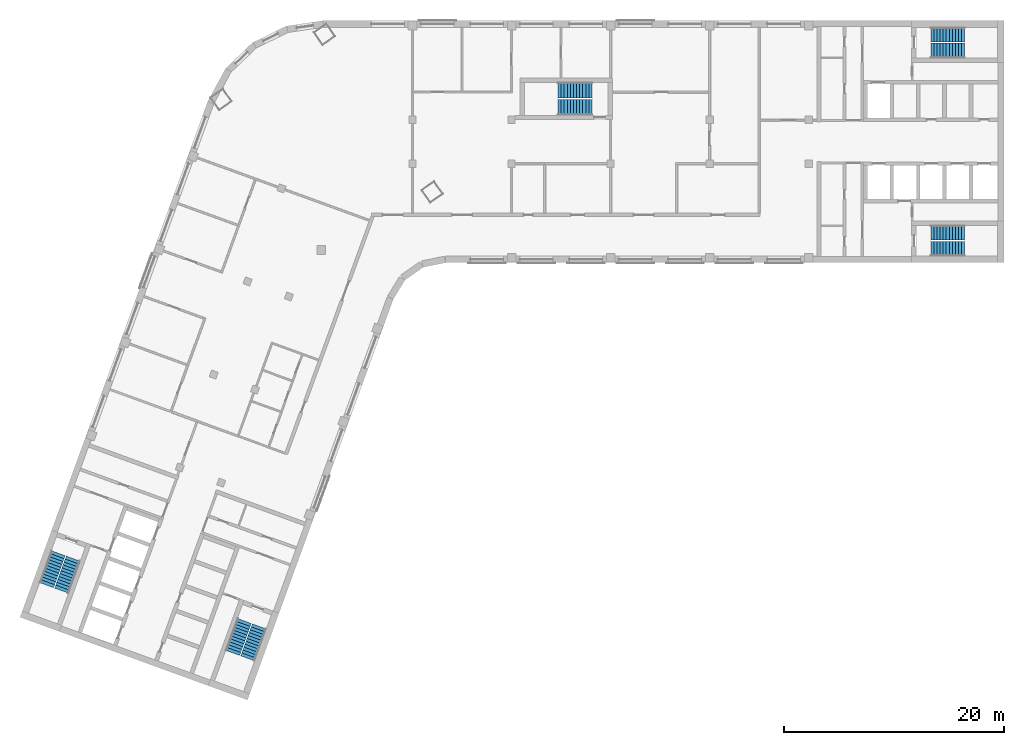
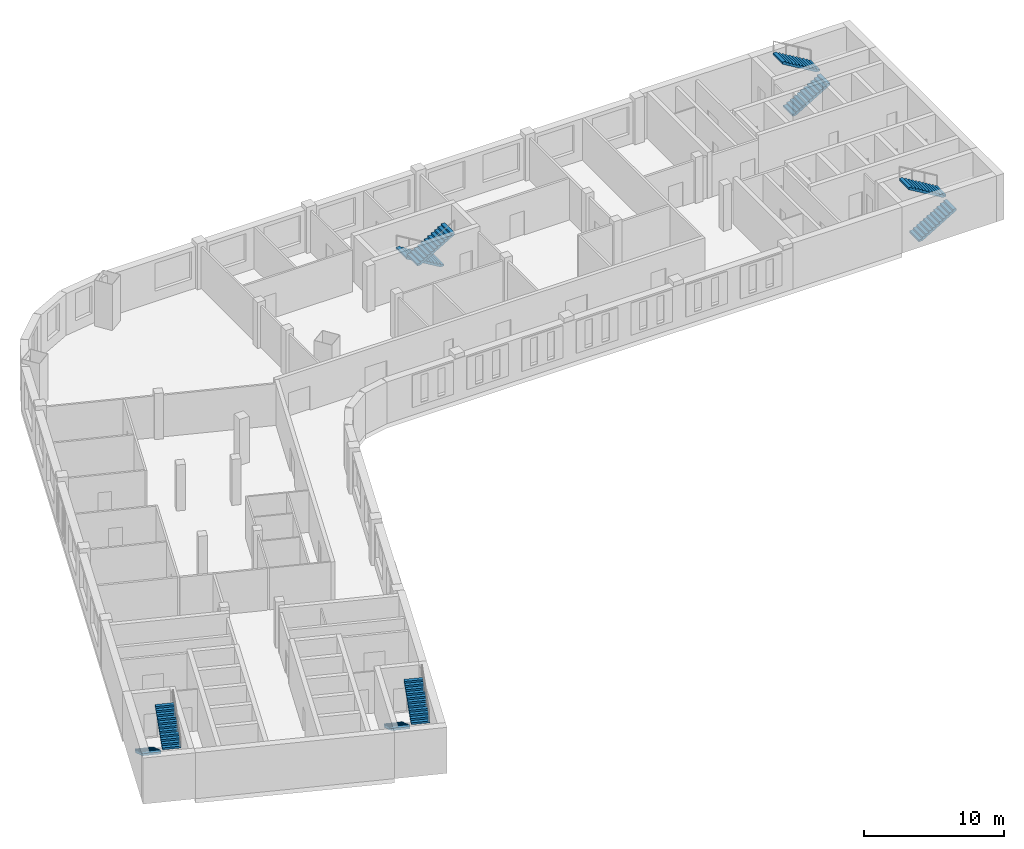
# One storey, part 7 of 8: 10 stair flights, 5 elements without a shape of their own.
"""IFC4 building model written with IfcOpenShell, lengths in metres."""

from ifc_helpers import new_model, si_unit, direction, frame, origin, place, context, subcontext, project, spatial, polyline, outline, extrude, material, type_object, element, aggregate, save


model = new_model("IFC4")

# Units and contexts
model_context = context("Model", 3, precision=1e-05, world=origin(), true_north=direction((0.0, 1.0)))
body_context = subcontext(model_context, "Body", "Model", "MODEL_VIEW")
ifc_project = project(units=[si_unit("LENGTHUNIT", "METRE"), si_unit("AREAUNIT", "SQUARE_METRE"), si_unit("VOLUMEUNIT", "CUBIC_METRE"), si_unit("PLANEANGLEUNIT", "RADIAN"), si_unit("MASSUNIT", "GRAM", prefix="KILO")], contexts=[model_context])

# Site, building, storey
site_placement = place(None, origin())
site = spatial("IfcSite", under=ifc_project, at=site_placement, CompositionType="ELEMENT")
building_placement = place(site_placement, origin())
building = spatial("IfcBuilding", under=site, at=building_placement, Name="Skarvind Civic Tower", CompositionType="ELEMENT")
storey_placement = place(building_placement, frame((0.0, 0.0, 138.5)))
storey = spatial("IfcBuildingStorey", under=building, at=storey_placement, Name="L32", CompositionType="ELEMENT", Elevation=138.5)

# Stair, stair flights
ifc_material = material(Name="Concrete C40/50", Category="concrete")
stair_type_1 = type_object("IfcStairType", Name="Exit stair 1450, half-turn, concrete", PredefinedType="HALF_TURN_STAIR", material=ifc_material)
stair_1_placement = place(storey_placement, origin())
stair_1 = element("IfcStair", 1, at=stair_1_placement, inside=storey, type_object=stair_type_1, Name="Exit stair CM", PredefinedType="HALF_TURN_STAIR")
stair_flight_type_1 = type_object("IfcStairFlightType", Name="Stair flight 1450, concrete", PredefinedType="STRAIGHT", material=ifc_material)
stair_flight_1_placement = place(storey_placement, frame((70.550048828125, 132.675048828125, 0.0), z_axis=(0.0, 0.0, 1.0), x_axis=(-1.0, 0.0, 0.0)))
stair_flight_1 = element("IfcStairFlight", 2, at=stair_flight_1_placement, type_object=stair_flight_type_1, Name="ST-CM flight 1", NumberOfRisers=12, NumberOfTreads=11, PredefinedType="STRAIGHT", RiserHeight=0.166666667, TreadLength=0.28, context=body_context, shape_type="SweptSolid", body=[
    extrude(outline(polyline([(0.0, 0.0), (0.0, 0.166748046875), (0.280029296875, 0.166748046875), (0.280029296875, 0.333251953125), (0.56005859375, 0.333251953125), (0.56005859375, 0.5), (0.840087890625, 0.5), (0.840087890625, 0.666748046875), (1.1201171875, 0.666748046875), (1.1201171875, 0.833251953125), (1.39990234375, 0.833251953125), (1.39990234375, 1.0), (1.679931640625, 1.0), (1.679931640625, 1.166748046875), (1.9599609375, 1.166748046875), (1.9599609375, 1.333251953125), (2.239990234375, 1.333251953125), (2.239990234375, 1.5), (2.52001953125, 1.5), (2.52001953125, 1.666748046875), (2.800048828125, 1.666748046875), (2.800048828125, 1.833251953125), (3.080078125, 1.833251953125), (3.080078125, 2.0), (3.080078125, 1.658935546875), (0.29296875, 0.0), (0.0, 0.0)])), frame((0.0, 0.72509765625, 0.0), z_axis=(0.0, -1.0, 0.0), x_axis=(1.0, 0.0, 0.0)), (0.0, 0.0, 1.0), 1.449951171875),
])
stair_flight_2_placement = place(storey_placement, frame((67.469970703125, 131.125, 2.0), z_axis=(0.0, 0.0, 1.0), x_axis=(1.0, 0.0, 0.0)))
stair_flight_2 = element("IfcStairFlight", 3, at=stair_flight_2_placement, type_object=stair_flight_type_1, Name="ST-CM flight 2", NumberOfRisers=12, NumberOfTreads=11, PredefinedType="STRAIGHT", RiserHeight=0.166666667, TreadLength=0.28, context=body_context, shape_type="SweptSolid", body=[
    extrude(outline(polyline([(0.0, 0.0), (0.0, 0.166748046875), (0.280029296875, 0.166748046875), (0.280029296875, 0.333251953125), (0.56005859375, 0.333251953125), (0.56005859375, 0.5), (0.840087890625, 0.5), (0.840087890625, 0.666748046875), (1.1201171875, 0.666748046875), (1.1201171875, 0.833251953125), (1.39990234375, 0.833251953125), (1.39990234375, 1.0), (1.679931640625, 1.0), (1.679931640625, 1.166748046875), (1.9599609375, 1.166748046875), (1.9599609375, 1.333251953125), (2.239990234375, 1.333251953125), (2.239990234375, 1.5), (2.52001953125, 1.5), (2.52001953125, 1.666748046875), (2.800048828125, 1.666748046875), (2.800048828125, 1.833251953125), (3.080078125, 1.833251953125), (3.080078125, 2.0), (3.080078125, 1.658935546875), (0.29296875, 0.0), (0.0, 0.0)])), frame((0.0, 0.72509765625, 0.0), z_axis=(0.0, -1.0, 0.0), x_axis=(1.0, 0.0, 0.0)), (0.0, 0.0, 1.0), 1.449951171875),
])
aggregate(stair_1, [stair_flight_1, stair_flight_2])

stair_type_2 = type_object("IfcStairType", Name="Exit stair, half-turn, concrete", PredefinedType="HALF_TURN_STAIR", material=ifc_material)
stair_2_placement = place(storey_placement, origin())
stair_2 = element("IfcStair", 4, at=stair_2_placement, inside=storey, type_object=stair_type_2, Name="Exit stair C1S", PredefinedType="HALF_TURN_STAIR")
stair_flight_type_2 = type_object("IfcStairFlightType", Name="Stair flight, concrete", PredefinedType="STRAIGHT", material=ifc_material)
stair_flight_3_placement = place(storey_placement, frame((101.35009765625, 136.27490234375, 0.0), z_axis=(0.0, 0.0, 1.0), x_axis=(1.0, 0.0, 0.0)))
stair_flight_3 = element("IfcStairFlight", 5, at=stair_flight_3_placement, type_object=stair_flight_type_2, Name="ST-C1S flight 1", NumberOfRisers=12, NumberOfTreads=11, PredefinedType="STRAIGHT", RiserHeight=0.166666667, TreadLength=0.28, context=body_context, shape_type="SweptSolid", body=[
    extrude(outline(polyline([(0.0, 0.0), (0.0, 0.166748046875), (0.280029296875, 0.166748046875), (0.280029296875, 0.333251953125), (0.56005859375, 0.333251953125), (0.56005859375, 0.5), (0.840087890625, 0.5), (0.840087890625, 0.666748046875), (1.1201171875, 0.666748046875), (1.1201171875, 0.833251953125), (1.39990234375, 0.833251953125), (1.39990234375, 1.0), (1.679931640625, 1.0), (1.679931640625, 1.166748046875), (1.9599609375, 1.166748046875), (1.9599609375, 1.333251953125), (2.239990234375, 1.333251953125), (2.239990234375, 1.5), (2.52001953125, 1.5), (2.52001953125, 1.666748046875), (2.800048828125, 1.666748046875), (2.800048828125, 1.833251953125), (3.080078125, 1.833251953125), (3.080078125, 2.0), (3.080078125, 1.658935546875), (0.29296875, 0.0), (0.0, 0.0)])), frame((0.0, 0.675048828125, 0.0), z_axis=(0.0, -1.0, 0.0), x_axis=(1.0, 0.0, 0.0)), (0.0, 0.0, 1.0), 1.35009765625),
])
stair_flight_4_placement = place(storey_placement, frame((104.429931640625, 137.72509765625, 2.0), z_axis=(0.0, 0.0, 1.0), x_axis=(-1.0, 0.0, 0.0)))
stair_flight_4 = element("IfcStairFlight", 6, at=stair_flight_4_placement, type_object=stair_flight_type_2, Name="ST-C1S flight 2", NumberOfRisers=12, NumberOfTreads=11, PredefinedType="STRAIGHT", RiserHeight=0.166666667, TreadLength=0.28, context=body_context, shape_type="SweptSolid", body=[
    extrude(outline(polyline([(0.0, 0.0), (0.0, 0.166748046875), (0.280029296875, 0.166748046875), (0.280029296875, 0.333251953125), (0.56005859375, 0.333251953125), (0.56005859375, 0.5), (0.840087890625, 0.5), (0.840087890625, 0.666748046875), (1.1201171875, 0.666748046875), (1.1201171875, 0.833251953125), (1.39990234375, 0.833251953125), (1.39990234375, 1.0), (1.679931640625, 1.0), (1.679931640625, 1.166748046875), (1.9599609375, 1.166748046875), (1.9599609375, 1.333251953125), (2.239990234375, 1.333251953125), (2.239990234375, 1.5), (2.52001953125, 1.5), (2.52001953125, 1.666748046875), (2.800048828125, 1.666748046875), (2.800048828125, 1.833251953125), (3.080078125, 1.833251953125), (3.080078125, 2.0), (3.080078125, 1.658935546875), (0.29296875, 0.0), (0.0, 0.0)])), frame((0.0, 0.675048828125, 0.0), z_axis=(0.0, -1.0, 0.0), x_axis=(1.0, 0.0, 0.0)), (0.0, 0.0, 1.0), 1.35009765625),
])
aggregate(stair_2, [stair_flight_3, stair_flight_4])

stair_3_placement = place(storey_placement, origin())
stair_3 = element("IfcStair", 7, at=stair_3_placement, inside=storey, type_object=stair_type_2, Name="Exit stair C1N", PredefinedType="HALF_TURN_STAIR")
stair_flight_5_placement = place(storey_placement, frame((101.35009765625, 118.27490234375, 0.0), z_axis=(0.0, 0.0, 1.0), x_axis=(1.0, 0.0, 0.0)))
stair_flight_5 = element("IfcStairFlight", 8, at=stair_flight_5_placement, type_object=stair_flight_type_2, Name="ST-C1N flight 1", NumberOfRisers=12, NumberOfTreads=11, PredefinedType="STRAIGHT", RiserHeight=0.166666667, TreadLength=0.28, context=body_context, shape_type="SweptSolid", body=[
    extrude(outline(polyline([(0.0, 0.0), (0.0, 0.166748046875), (0.280029296875, 0.166748046875), (0.280029296875, 0.333251953125), (0.56005859375, 0.333251953125), (0.56005859375, 0.5), (0.840087890625, 0.5), (0.840087890625, 0.666748046875), (1.1201171875, 0.666748046875), (1.1201171875, 0.833251953125), (1.39990234375, 0.833251953125), (1.39990234375, 1.0), (1.679931640625, 1.0), (1.679931640625, 1.166748046875), (1.9599609375, 1.166748046875), (1.9599609375, 1.333251953125), (2.239990234375, 1.333251953125), (2.239990234375, 1.5), (2.52001953125, 1.5), (2.52001953125, 1.666748046875), (2.800048828125, 1.666748046875), (2.800048828125, 1.833251953125), (3.080078125, 1.833251953125), (3.080078125, 2.0), (3.080078125, 1.658935546875), (0.29296875, 0.0), (0.0, 0.0)])), frame((0.0, 0.675048828125, 0.0), z_axis=(0.0, -1.0, 0.0), x_axis=(1.0, 0.0, 0.0)), (0.0, 0.0, 1.0), 1.35009765625),
])
stair_flight_6_placement = place(storey_placement, frame((104.429931640625, 119.72509765625, 2.0), z_axis=(0.0, 0.0, 1.0), x_axis=(-1.0, 0.0, 0.0)))
stair_flight_6 = element("IfcStairFlight", 9, at=stair_flight_6_placement, type_object=stair_flight_type_2, Name="ST-C1N flight 2", NumberOfRisers=12, NumberOfTreads=11, PredefinedType="STRAIGHT", RiserHeight=0.166666667, TreadLength=0.28, context=body_context, shape_type="SweptSolid", body=[
    extrude(outline(polyline([(0.0, 0.0), (0.0, 0.166748046875), (0.280029296875, 0.166748046875), (0.280029296875, 0.333251953125), (0.56005859375, 0.333251953125), (0.56005859375, 0.5), (0.840087890625, 0.5), (0.840087890625, 0.666748046875), (1.1201171875, 0.666748046875), (1.1201171875, 0.833251953125), (1.39990234375, 0.833251953125), (1.39990234375, 1.0), (1.679931640625, 1.0), (1.679931640625, 1.166748046875), (1.9599609375, 1.166748046875), (1.9599609375, 1.333251953125), (2.239990234375, 1.333251953125), (2.239990234375, 1.5), (2.52001953125, 1.5), (2.52001953125, 1.666748046875), (2.800048828125, 1.666748046875), (2.800048828125, 1.833251953125), (3.080078125, 1.833251953125), (3.080078125, 2.0), (3.080078125, 1.658935546875), (0.29296875, 0.0), (0.0, 0.0)])), frame((0.0, 0.675048828125, 0.0), z_axis=(0.0, -1.0, 0.0), x_axis=(1.0, 0.0, 0.0)), (0.0, 0.0, 1.0), 1.35009765625),
])
aggregate(stair_3, [stair_flight_5, stair_flight_6])

stair_4_placement = place(storey_placement, origin())
stair_4 = element("IfcStair", 10, at=stair_4_placement, inside=storey, type_object=stair_type_2, Name="Exit stair C2S", PredefinedType="HALF_TURN_STAIR")
stair_flight_7_placement = place(storey_placement, frame((38.949462890625, 84.43408203125, 0.0), z_axis=(0.0, 0.0, 1.0), x_axis=(-0.342020143326, -0.939692620786, 0.0)))
stair_flight_7 = element("IfcStairFlight", 11, at=stair_flight_7_placement, type_object=stair_flight_type_2, Name="ST-C2S flight 1", NumberOfRisers=12, NumberOfTreads=11, PredefinedType="STRAIGHT", RiserHeight=0.166666667, TreadLength=0.28, context=body_context, shape_type="SweptSolid", body=[
    extrude(outline(polyline([(0.0, 0.0), (0.0, 0.166748046875), (0.280029296875, 0.166748046875), (0.280029296875, 0.333251953125), (0.56005859375, 0.333251953125), (0.56005859375, 0.5), (0.840087890625, 0.5), (0.840087890625, 0.666748046875), (1.1201171875, 0.666748046875), (1.1201171875, 0.833251953125), (1.39990234375, 0.833251953125), (1.39990234375, 1.0), (1.679931640625, 1.0), (1.679931640625, 1.166748046875), (1.9599609375, 1.166748046875), (1.9599609375, 1.333251953125), (2.239990234375, 1.333251953125), (2.239990234375, 1.5), (2.52001953125, 1.5), (2.52001953125, 1.666748046875), (2.800048828125, 1.666748046875), (2.800048828125, 1.833251953125), (3.080078125, 1.833251953125), (3.080078125, 2.0), (3.080078125, 1.658935546875), (0.29296875, 0.0), (0.0, 0.0)])), frame((0.0, 0.675048828125, 0.0), z_axis=(0.0, -1.0, 0.0), x_axis=(1.0, 0.0, 0.0)), (0.0, 0.0, 1.0), 1.35009765625),
])
stair_flight_8_placement = place(storey_placement, frame((39.258544921875, 81.0439453125, 2.0), z_axis=(0.0, 0.0, 1.0), x_axis=(0.342020143326, 0.939692620786, 0.0)))
stair_flight_8 = element("IfcStairFlight", 12, at=stair_flight_8_placement, type_object=stair_flight_type_2, Name="ST-C2S flight 2", NumberOfRisers=12, NumberOfTreads=11, PredefinedType="STRAIGHT", RiserHeight=0.166666667, TreadLength=0.28, context=body_context, shape_type="SweptSolid", body=[
    extrude(outline(polyline([(0.0, 0.0), (0.0, 0.166748046875), (0.280029296875, 0.166748046875), (0.280029296875, 0.333251953125), (0.56005859375, 0.333251953125), (0.56005859375, 0.5), (0.840087890625, 0.5), (0.840087890625, 0.666748046875), (1.1201171875, 0.666748046875), (1.1201171875, 0.833251953125), (1.39990234375, 0.833251953125), (1.39990234375, 1.0), (1.679931640625, 1.0), (1.679931640625, 1.166748046875), (1.9599609375, 1.166748046875), (1.9599609375, 1.333251953125), (2.239990234375, 1.333251953125), (2.239990234375, 1.5), (2.52001953125, 1.5), (2.52001953125, 1.666748046875), (2.800048828125, 1.666748046875), (2.800048828125, 1.833251953125), (3.080078125, 1.833251953125), (3.080078125, 2.0), (3.080078125, 1.658935546875), (0.29296875, 0.0), (0.0, 0.0)])), frame((0.0, 0.675048828125, 0.0), z_axis=(0.0, -1.0, 0.0), x_axis=(1.0, 0.0, 0.0)), (0.0, 0.0, 1.0), 1.35009765625),
])
aggregate(stair_4, [stair_flight_7, stair_flight_8])

stair_5_placement = place(storey_placement, origin())
stair_5 = element("IfcStair", 13, at=stair_5_placement, inside=storey, type_object=stair_type_2, Name="Exit stair C2N", PredefinedType="HALF_TURN_STAIR")
stair_flight_9_placement = place(storey_placement, frame((22.034912109375, 90.590576171875, 0.0), z_axis=(0.0, 0.0, 1.0), x_axis=(-0.342020143326, -0.939692620786, 0.0)))
stair_flight_9 = element("IfcStairFlight", 14, at=stair_flight_9_placement, type_object=stair_flight_type_2, Name="ST-C2N flight 1", NumberOfRisers=12, NumberOfTreads=11, PredefinedType="STRAIGHT", RiserHeight=0.166666667, TreadLength=0.28, context=body_context, shape_type="SweptSolid", body=[
    extrude(outline(polyline([(0.0, 0.0), (0.0, 0.166748046875), (0.280029296875, 0.166748046875), (0.280029296875, 0.333251953125), (0.56005859375, 0.333251953125), (0.56005859375, 0.5), (0.840087890625, 0.5), (0.840087890625, 0.666748046875), (1.1201171875, 0.666748046875), (1.1201171875, 0.833251953125), (1.39990234375, 0.833251953125), (1.39990234375, 1.0), (1.679931640625, 1.0), (1.679931640625, 1.166748046875), (1.9599609375, 1.166748046875), (1.9599609375, 1.333251953125), (2.239990234375, 1.333251953125), (2.239990234375, 1.5), (2.52001953125, 1.5), (2.52001953125, 1.666748046875), (2.800048828125, 1.666748046875), (2.800048828125, 1.833251953125), (3.080078125, 1.833251953125), (3.080078125, 2.0), (3.080078125, 1.658935546875), (0.29296875, 0.0), (0.0, 0.0)])), frame((0.0, 0.675048828125, 0.0), z_axis=(0.0, -1.0, 0.0), x_axis=(1.0, 0.0, 0.0)), (0.0, 0.0, 1.0), 1.35009765625),
])
stair_flight_10_placement = place(storey_placement, frame((22.343994140625, 87.2001953125, 2.0), z_axis=(0.0, 0.0, 1.0), x_axis=(0.342020143326, 0.939692620786, 0.0)))
stair_flight_10 = element("IfcStairFlight", 15, at=stair_flight_10_placement, type_object=stair_flight_type_2, Name="ST-C2N flight 2", NumberOfRisers=12, NumberOfTreads=11, PredefinedType="STRAIGHT", RiserHeight=0.166666667, TreadLength=0.28, context=body_context, shape_type="SweptSolid", body=[
    extrude(outline(polyline([(0.0, 0.0), (0.0, 0.166748046875), (0.280029296875, 0.166748046875), (0.280029296875, 0.333251953125), (0.56005859375, 0.333251953125), (0.56005859375, 0.5), (0.840087890625, 0.5), (0.840087890625, 0.666748046875), (1.1201171875, 0.666748046875), (1.1201171875, 0.833251953125), (1.39990234375, 0.833251953125), (1.39990234375, 1.0), (1.679931640625, 1.0), (1.679931640625, 1.166748046875), (1.9599609375, 1.166748046875), (1.9599609375, 1.333251953125), (2.239990234375, 1.333251953125), (2.239990234375, 1.5), (2.52001953125, 1.5), (2.52001953125, 1.666748046875), (2.800048828125, 1.666748046875), (2.800048828125, 1.833251953125), (3.080078125, 1.833251953125), (3.080078125, 2.0), (3.080078125, 1.658935546875), (0.29296875, 0.0), (0.0, 0.0)])), frame((0.0, 0.675048828125, 0.0), z_axis=(0.0, -1.0, 0.0), x_axis=(1.0, 0.0, 0.0)), (0.0, 0.0, 1.0), 1.35009765625),
])
aggregate(stair_5, [stair_flight_9, stair_flight_10])

save(model, "model.ifc")
